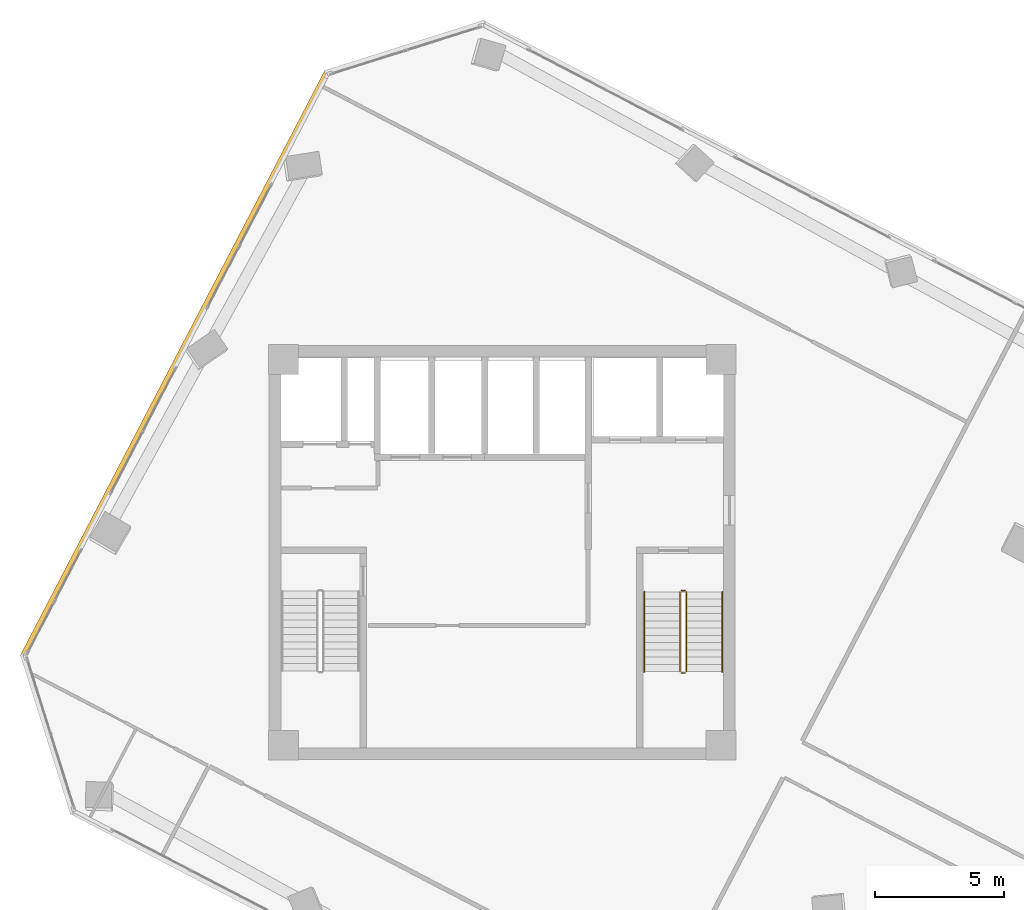
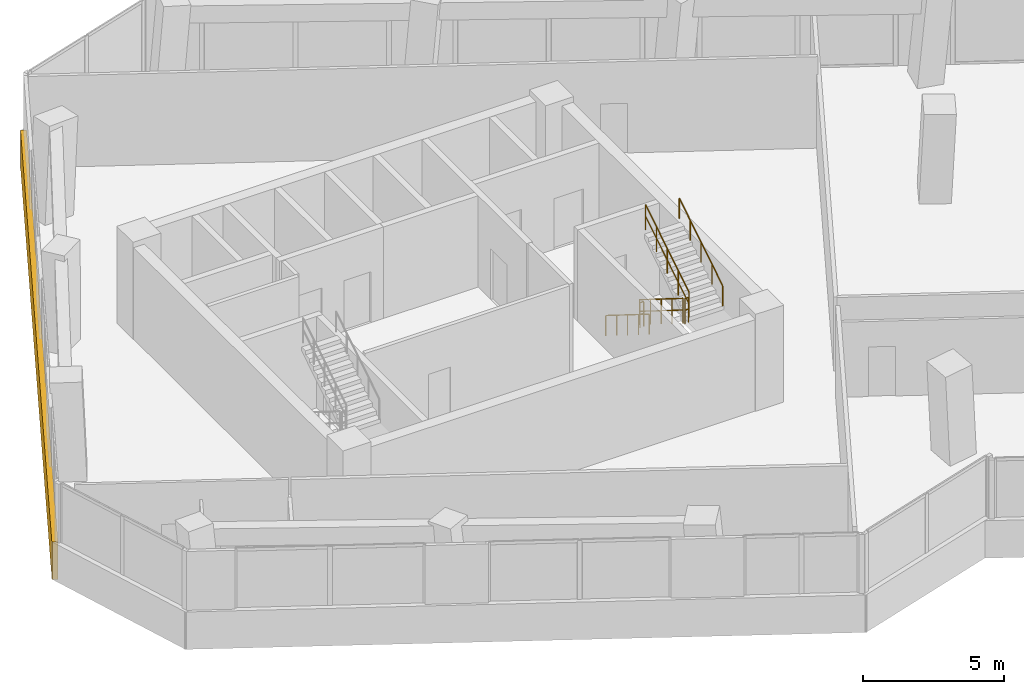
# One storey, part 20 of 22: 6 railings, 1 covering.
"""IFC4 building model written with IfcOpenShell, lengths in metres."""

import ifcopenshell
import ifcopenshell.guid

model = None  # the IFC model being written
_history = None  # IfcOwnerHistory: only IFC2X3 demands one
_inside = {}  # id of a spatial element -> (the spatial element, [elements in it])
_under = {}  # id of a project, library or spatial element -> (it, [spatial elements below it])
_declared = {}  # id of a project -> (the project, [libraries it declares])
_typed = {}  # id of a type object -> (the type object, [elements of that type])
_made_of = {}  # id of a material, layer set ... -> (it, [elements and type objects made of it])


def new_model(schema):
    """Start an empty IFC model of exactly this schema.

    Asked for "IFC4X3", IfcOpenShell would pick the latest addendum, in which some entities
    have other attributes; the version numbers below select the first issue.
    IFC2X3 requires an IfcOwnerHistory on every rooted entity: one is made here for all.
    """
    global model, _history
    if schema == "IFC4X3":
        model = ifcopenshell.file(schema_version=(4, 3, 0, 0))
    else:
        model = ifcopenshell.file(schema=schema)
    _inside.clear()
    _under.clear()
    _declared.clear()
    _typed.clear()
    _made_of.clear()
    _history = None
    if model.schema == "IFC2X3":
        org = make("IfcOrganization", Name="unknown")
        user = make(
            "IfcPersonAndOrganization",
            ThePerson=make("IfcPerson", FamilyName="unknown"),
            TheOrganization=org,
        )
        app = make(
            "IfcApplication",
            ApplicationDeveloper=org,
            Version="unknown",
            ApplicationFullName="unknown",
            ApplicationIdentifier="unknown",
        )
        _history = make(
            "IfcOwnerHistory",
            OwningUser=user,
            OwningApplication=app,
            ChangeAction="ADDED",
            CreationDate=0,
        )
    return model


def make(cls, **values):
    """One entity of the class cls with the attributes given. An attribute that is None is left unset."""
    return model.create_entity(
        cls, **{name: value for name, value in values.items() if value is not None}
    )


def rooted(cls, **values):
    """An entity with a GlobalId (a new one), such as an element, a storey or a relation."""
    return make(cls, GlobalId=ifcopenshell.guid.new(), OwnerHistory=_history, **values)


def si_unit(unit_type, name, prefix=None):
    """IfcSIUnit, for example si_unit("LENGTHUNIT", "METRE", prefix="MILLI")."""
    return make("IfcSIUnit", UnitType=unit_type, Prefix=prefix, Name=name)


def assignment(units):
    """IfcUnitAssignment: the units of a project."""
    return None if units is None else make("IfcUnitAssignment", Units=units)


def point(xyz):
    """IfcCartesianPoint."""
    return None if xyz is None else make("IfcCartesianPoint", Coordinates=xyz)


def direction(xyz):
    """IfcDirection."""
    return None if xyz is None else make("IfcDirection", DirectionRatios=xyz)


def frame(location, z_axis=None, x_axis=None):
    """IfcAxis2Placement3D, a coordinate frame: its origin and axes. An axis left out is left unset."""
    return make(
        "IfcAxis2Placement3D",
        Location=point(location),
        Axis=direction(z_axis),
        RefDirection=direction(x_axis),
    )


def frame_2d(location, x_axis=None):
    """IfcAxis2Placement2D, a coordinate frame in the plane: its origin and x axis."""
    return make(
        "IfcAxis2Placement2D", Location=point(location), RefDirection=direction(x_axis)
    )


def origin():
    """The frame at (0, 0, 0) with its axes left unset."""
    return frame((0.0, 0.0, 0.0))


def origin_2d():
    """The frame at (0, 0) in the plane with its x axis left unset."""
    return frame_2d((0.0, 0.0))


def place(relative_to, where):
    """IfcLocalPlacement: puts the frame where relative to a parent placement (None: the world)."""
    return make(
        "IfcLocalPlacement", PlacementRelTo=relative_to, RelativePlacement=where
    )


def context(
    kind, dimensions, precision=None, world=None, true_north=None, identifier=None
):
    """IfcGeometricRepresentationContext, for example the 3D "Model" context."""
    return make(
        "IfcGeometricRepresentationContext",
        ContextIdentifier=identifier,
        ContextType=kind,
        CoordinateSpaceDimension=dimensions,
        Precision=precision,
        WorldCoordinateSystem=world,
        TrueNorth=true_north,
    )


def subcontext(parent, identifier, kind, view, scale=None):
    """IfcGeometricRepresentationSubContext, for example "Body" below "Model"."""
    return make(
        "IfcGeometricRepresentationSubContext",
        ContextIdentifier=identifier,
        ContextType=kind,
        ParentContext=parent,
        TargetScale=scale,
        TargetView=view,
    )


def project(units=None, contexts=None):
    """IfcProject with its units and contexts."""
    return rooted(
        "IfcProject",
        Name="project",
        RepresentationContexts=contexts,
        UnitsInContext=assignment(units),
    )


def spatial(cls, under=None, at=None, **own):
    """A site, building, storey or space (cls), placed at a placement, below another one or the project."""
    s = rooted(cls, ObjectPlacement=at, **own)
    if under is not None:
        _under.setdefault(under.id(), (under, []))[1].append(s)
    return s


def profile(cls, at=None, kind="AREA", **sizes):
    """A parametric profile (cls). Its sizes go by their IFC names, for example OverallWidth=200.0."""
    return make(cls, ProfileType=kind, Position=at, **sizes)


def rectangle(**sizes):
    """IfcRectangleProfileDef."""
    return profile("IfcRectangleProfileDef", **sizes)


def circle(**sizes):
    """IfcCircleProfileDef."""
    return profile("IfcCircleProfileDef", **sizes)


def extrude(swept, where, along, depth):
    """IfcExtrudedAreaSolid: the profile swept, set in the frame where, extruded along a direction by depth."""
    return make(
        "IfcExtrudedAreaSolid",
        SweptArea=swept,
        Position=where,
        ExtrudedDirection=direction(along),
        Depth=depth,
    )


def shape(context_of_items, identifier, shape_type, items):
    """IfcShapeRepresentation: the items that make up one representation, for example the "Body"."""
    return make(
        "IfcShapeRepresentation",
        ContextOfItems=context_of_items,
        RepresentationIdentifier=identifier,
        RepresentationType=shape_type,
        Items=items,
    )


def source(mapping_origin, context_of_items, identifier, shape_type, items):
    """IfcRepresentationMap: a shape defined once, which mapped items show again and again."""
    return make(
        "IfcRepresentationMap",
        MappingOrigin=mapping_origin,
        MappedRepresentation=shape(context_of_items, identifier, shape_type, items),
    )


def transform(
    local_origin,
    x_axis=None,
    y_axis=None,
    z_axis=None,
    scale=None,
    scale2=None,
    scale3=None,
    uniform=True,
):
    """IfcCartesianTransformationOperator3D, or its non-uniform kind. x_axis, y_axis, z_axis: its Axis1, 2, 3."""
    if uniform:
        return make(
            "IfcCartesianTransformationOperator3D",
            Axis1=direction(x_axis),
            Axis2=direction(y_axis),
            LocalOrigin=point(local_origin),
            Scale=scale,
            Axis3=direction(z_axis),
        )
    return make(
        "IfcCartesianTransformationOperator3DnonUniform",
        Axis1=direction(x_axis),
        Axis2=direction(y_axis),
        LocalOrigin=point(local_origin),
        Scale=scale,
        Axis3=direction(z_axis),
        Scale2=scale2,
        Scale3=scale3,
    )


def mapped(mapping_source, mapping_target):
    """IfcMappedItem: shows the shape of a source again, moved by a transform."""
    return make(
        "IfcMappedItem", MappingSource=mapping_source, MappingTarget=mapping_target
    )


def material(Name=None, Category=None):
    """IfcMaterial."""
    return make("IfcMaterial", Name=Name, Category=Category)


def layer(
    of_material, thickness, ventilated=None, Name=None, Category=None, Priority=None
):
    """IfcMaterialLayer: one layer of a wall or slab, of a material (None: an air gap)."""
    return make(
        "IfcMaterialLayer",
        Material=of_material,
        LayerThickness=thickness,
        IsVentilated=ventilated,
        Name=Name,
        Category=Category,
        Priority=Priority,
    )


def layer_set(layers, Name=None):
    """IfcMaterialLayerSet."""
    return make("IfcMaterialLayerSet", MaterialLayers=layers, LayerSetName=Name)


def made_of(thing, what):
    """Note that an element or type object is made of a material, layer set ...; save() writes the relation."""
    if what is not None:
        _made_of.setdefault(what.id(), (what, []))[1].append(thing)
    return thing


def type_object(cls, material=None, **own):
    """A type object (cls), such as IfcWallType, which elements share."""
    return made_of(rooted(cls, **own), material)


def element(
    cls,
    number,
    at=None,
    inside=None,
    cuts=None,
    type_object=None,
    material=None,
    context=None,
    identifier="Body",
    shape_type=None,
    held_by="IfcProductDefinitionShape",
    body=None,
    shapes=None,
    **own,
):
    """One element of the class cls, such as IfcWall. Its Tag is "e" and its number.

    at: its placement. inside: the storey or other place that contains it. cuts: it is an
    opening in that element (IfcRelVoidsElement). A single representation is given by context,
    identifier, shape_type and body (its items); several are given by shapes. held_by: the class
    of the entity that holds the representations. save() writes the other relations.
    """
    e = rooted(cls, Tag="e%d" % number, ObjectPlacement=at, **own)
    if body is not None:
        shapes = [shape(context, identifier, shape_type, body)]
    if shapes is not None:
        e.Representation = make(held_by, Representations=shapes)
    if inside is not None:
        _inside.setdefault(inside.id(), (inside, []))[1].append(e)
    if cuts is not None:
        rooted(
            "IfcRelVoidsElement", RelatingBuildingElement=cuts, RelatedOpeningElement=e
        )
    if type_object is not None:
        _typed.setdefault(type_object.id(), (type_object, []))[1].append(e)
    return made_of(e, material)


def aggregate(whole, parts):
    """IfcRelAggregates: a whole, such as a stair, and the parts it consists of."""
    return rooted("IfcRelAggregates", RelatingObject=whole, RelatedObjects=parts)


def save(model, path):
    """Write the relations noted so far, then the file.

    IfcRelAggregates (storeys below a building ...), IfcRelContainedInSpatialStructure (elements
    in a storey), IfcRelDefinesByType, IfcRelAssociatesMaterial and IfcRelDeclares: one each for
    every whole, place, type object, material and project.
    """
    for whole, parts in _under.values():
        aggregate(whole, parts)
    for where, things in _inside.values():
        rooted(
            "IfcRelContainedInSpatialStructure",
            RelatedElements=things,
            RelatingStructure=where,
        )
    for kind, things in _typed.values():
        rooted("IfcRelDefinesByType", RelatedObjects=things, RelatingType=kind)
    for what, things in _made_of.values():
        rooted("IfcRelAssociatesMaterial", RelatedObjects=things, RelatingMaterial=what)
    for by, libraries in _declared.values():
        rooted("IfcRelDeclares", RelatingContext=by, RelatedDefinitions=libraries)
    model.write(path)


model = new_model("IFC4")

# Units and contexts
model_context = context("Model", 3, precision=1e-05, world=origin(), true_north=direction((0.0, 1.0)))
body_context = subcontext(model_context, "Body", "Model", "MODEL_VIEW")
ifc_project = project(units=[si_unit("LENGTHUNIT", "METRE"), si_unit("AREAUNIT", "SQUARE_METRE"), si_unit("VOLUMEUNIT", "CUBIC_METRE"), si_unit("PLANEANGLEUNIT", "RADIAN"), si_unit("MASSUNIT", "GRAM", prefix="KILO")], contexts=[model_context])

# Site, building, storey
site_placement = place(None, origin())
site = spatial("IfcSite", under=ifc_project, at=site_placement, CompositionType="ELEMENT")
building_placement = place(site_placement, origin())
building = spatial("IfcBuilding", under=site, at=building_placement, Name="Torre Montelarca", CompositionType="ELEMENT")
storey_placement = place(building_placement, frame((0.0, 0.0, 170.800048828125)))
storey = spatial("IfcBuildingStorey", under=building, at=storey_placement, Name="L38", CompositionType="ELEMENT", Elevation=170.800048828125)

# Railings
ifc_material_1 = material(Name="Powder-coated steel ASTM A500 Grade C", Category="steel")
railing_type_1 = type_object("IfcRailingType", Name="RL-GUARD-1100", PredefinedType="BALUSTRADE", material=ifc_material_1)
railing_1_placement = place(storey_placement, frame((24.8701171875, 30.469970703125, 0.175048828125)))
element("IfcRailing", 1, at=railing_1_placement, inside=storey, type_object=railing_type_1, Name="L38 ST2 stair guard 1", PredefinedType="BALUSTRADE", context=body_context, shape_type="SweptSolid", body=[
    extrude(circle(Radius=0.02392578125, at=origin_2d()), frame((0.0, 0.0, 1.076171875), z_axis=(0.0, -0.848028513186, 0.529950602248), x_axis=(1.0, 0.0, 0.0)), (0.0, 0.0, 1.0), 3.632080078125),
    extrude(circle(Radius=0.02099609375, at=origin_2d()), frame((0.0, 0.0, 0.572021484375), z_axis=(0.0, -0.848028513186, 0.529950602248), x_axis=(1.0, 0.0, 0.0)), (0.0, 0.0, 1.0), 3.632080078125),
    extrude(circle(Radius=0.02099609375, at=origin_2d()), origin(), (0.0, 0.0, 1.0), 1.052001953125),
    extrude(circle(Radius=0.02099609375, at=origin_2d()), frame((0.0, -0.77001953125, 0.481201171875)), (0.0, 0.0, 1.0), 1.052001953125),
    extrude(circle(Radius=0.02099609375, at=origin_2d()), frame((0.0, -1.5400390625, 0.96240234375)), (0.0, 0.0, 1.0), 1.052001953125),
    extrude(circle(Radius=0.02099609375, at=origin_2d()), frame((0.0, -2.31005859375, 1.443603515625)), (0.0, 0.0, 1.0), 1.052001953125),
    extrude(circle(Radius=0.02099609375, at=origin_2d()), frame((0.0, -3.080078125, 1.9248046875)), (0.0, 0.0, 1.0), 1.052001953125),
])
railing_2_placement = place(storey_placement, frame((24.919921875, 27.340087890625, 2.099853515625)))
element("IfcRailing", 2, at=railing_2_placement, inside=storey, type_object=railing_type_1, Name="L38 ST2 stair guard 2", PredefinedType="BALUSTRADE", context=body_context, shape_type="SweptSolid", body=[
    extrude(circle(Radius=0.02392578125, at=origin_2d()), frame((0.0, 0.0, 1.076171875), z_axis=(1.0, 0.0, 0.0), x_axis=(0.0, 1.0, 0.0)), (0.0, 0.0, 1.0), 0.150146484375),
    extrude(circle(Radius=0.02099609375, at=origin_2d()), frame((0.0, 0.0, 0.572021484375), z_axis=(1.0, 0.0, 0.0), x_axis=(0.0, 1.0, 0.0)), (0.0, 0.0, 1.0), 0.150146484375),
    extrude(circle(Radius=0.02099609375, at=origin_2d()), origin(), (0.0, 0.0, 1.0), 1.052001953125),
    extrude(circle(Radius=0.02099609375, at=origin_2d()), frame((0.150146484375, 0.0, 0.0)), (0.0, 0.0, 1.0), 1.052001953125),
])
railing_3_placement = place(storey_placement, frame((25.1201171875, 27.389892578125, 2.27490234375)))
element("IfcRailing", 3, at=railing_3_placement, inside=storey, type_object=railing_type_1, Name="L38 ST2 stair guard 3", PredefinedType="BALUSTRADE", context=body_context, shape_type="SweptSolid", body=[
    extrude(circle(Radius=0.02392578125, at=origin_2d()), frame((0.0, 0.0, 1.076171875), z_axis=(0.0, 0.847998304005, 0.529998940003), x_axis=(-1.0, 0.0, 0.0)), (0.0, 0.0, 1.0), 3.632080078125),
    extrude(circle(Radius=0.02099609375, at=origin_2d()), frame((0.0, 0.0, 0.572021484375), z_axis=(0.0, 0.847998304005, 0.529998940003), x_axis=(-1.0, 0.0, 0.0)), (0.0, 0.0, 1.0), 3.632080078125),
    extrude(circle(Radius=0.02099609375, at=origin_2d()), origin(), (0.0, 0.0, 1.0), 1.052001953125),
    extrude(circle(Radius=0.02099609375, at=origin_2d()), frame((0.0, 0.77001953125, 0.481201171875)), (0.0, 0.0, 1.0), 1.052001953125),
    extrude(circle(Radius=0.02099609375, at=origin_2d()), frame((0.0, 1.5400390625, 0.96240234375)), (0.0, 0.0, 1.0), 1.052001953125),
    extrude(circle(Radius=0.02099609375, at=origin_2d()), frame((0.0, 2.31005859375, 1.44384765625)), (0.0, 0.0, 1.0), 1.052001953125),
    extrude(circle(Radius=0.02099609375, at=origin_2d()), frame((0.0, 3.080078125, 1.925048828125)), (0.0, 0.0, 1.0), 1.052001953125),
])
railing_4_placement = place(storey_placement, frame((24.919921875, 30.52001953125, 0.0)))
element("IfcRailing", 4, at=railing_4_placement, inside=storey, type_object=railing_type_1, Name="L38 ST2 stair guard 4", PredefinedType="BALUSTRADE", context=body_context, shape_type="SweptSolid", body=[
    extrude(circle(Radius=0.02392578125, at=origin_2d()), frame((0.0, 0.0, 1.076171875), z_axis=(1.0, 0.0, 0.0), x_axis=(0.0, 1.0, 0.0)), (0.0, 0.0, 1.0), 0.150146484375),
    extrude(circle(Radius=0.02099609375, at=origin_2d()), frame((0.0, 0.0, 0.572021484375), z_axis=(1.0, 0.0, 0.0), x_axis=(0.0, 1.0, 0.0)), (0.0, 0.0, 1.0), 0.150146484375),
    extrude(circle(Radius=0.02099609375, at=origin_2d()), origin(), (0.0, 0.0, 1.0), 1.052001953125),
    extrude(circle(Radius=0.02099609375, at=origin_2d()), frame((0.150146484375, 0.0, 0.0)), (0.0, 0.0, 1.0), 1.052001953125),
])
ifc_material_2 = material(Name="Brushed stainless steel AISI 316", Category="steel")
railing_type_2 = type_object("IfcRailingType", Name="RL-HANDRAIL-900", PredefinedType="HANDRAIL", material=ifc_material_2)
railing_5_placement = place(storey_placement, frame((23.489990234375, 30.469970703125, 0.175048828125)))
element("IfcRailing", 5, at=railing_5_placement, inside=storey, type_object=railing_type_2, Name="L38 ST2 stair handrail 1", PredefinedType="HANDRAIL", context=body_context, shape_type="SweptSolid", body=[
    extrude(circle(Radius=0.02392578125, at=origin_2d()), frame((0.0, 0.0, 0.8759765625), z_axis=(0.0, -0.848028513186, 0.529950602248), x_axis=(1.0, 0.0, 0.0)), (0.0, 0.0, 1.0), 3.632080078125),
    extrude(circle(Radius=0.02099609375, at=origin_2d()), origin(), (0.0, 0.0, 1.0), 0.851806640625),
    extrude(circle(Radius=0.02099609375, at=origin_2d()), frame((0.0, -0.77001953125, 0.481201171875)), (0.0, 0.0, 1.0), 0.851806640625),
    extrude(circle(Radius=0.02099609375, at=origin_2d()), frame((0.0, -1.5400390625, 0.96240234375)), (0.0, 0.0, 1.0), 0.851806640625),
    extrude(circle(Radius=0.02099609375, at=origin_2d()), frame((0.0, -2.31005859375, 1.443603515625)), (0.0, 0.0, 1.0), 0.851806640625),
    extrude(circle(Radius=0.02099609375, at=origin_2d()), frame((0.0, -3.080078125, 1.9248046875)), (0.0, 0.0, 1.0), 0.851806640625),
])
railing_6_placement = place(storey_placement, frame((26.5, 27.389892578125, 2.27490234375)))
element("IfcRailing", 6, at=railing_6_placement, inside=storey, type_object=railing_type_2, Name="L38 ST2 stair handrail 2", PredefinedType="HANDRAIL", context=body_context, shape_type="SweptSolid", body=[
    extrude(circle(Radius=0.02392578125, at=origin_2d()), frame((0.0, 0.0, 0.8759765625), z_axis=(0.0, 0.847998304005, 0.529998940003), x_axis=(-1.0, 0.0, 0.0)), (0.0, 0.0, 1.0), 3.632080078125),
    extrude(circle(Radius=0.02099609375, at=origin_2d()), origin(), (0.0, 0.0, 1.0), 0.851806640625),
    extrude(circle(Radius=0.02099609375, at=origin_2d()), frame((0.0, 0.77001953125, 0.481201171875)), (0.0, 0.0, 1.0), 0.851806640625),
    extrude(circle(Radius=0.02099609375, at=origin_2d()), frame((0.0, 1.5400390625, 0.96240234375)), (0.0, 0.0, 1.0), 0.851806640625),
    extrude(circle(Radius=0.02099609375, at=origin_2d()), frame((0.0, 2.31005859375, 1.44384765625)), (0.0, 0.0, 1.0), 0.851806640625),
    extrude(circle(Radius=0.02099609375, at=origin_2d()), frame((0.0, 3.080078125, 1.925048828125)), (0.0, 0.0, 1.0), 0.851806640625),
])

# Covering
ifc_material_3 = material(Name="Bush-hammered warm white precast concrete C45/55", Category="concrete")
ifc_layer = layer(ifc_material_3, 0.139892578125, Name="Bush-hammered warm white precast concrete C45/55", Category="concrete")
ifc_layer_set = layer_set([ifc_layer], Name="Bush-hammered warm white precast concrete C45/55")
covering_type = type_object("IfcCoveringType", Name="COV-TRAY-CLAD", PredefinedType="CLADDING", material=ifc_layer_set)
shared_shape = source(origin(), body_context, "Body", "SweptSolid", [
    extrude(rectangle(XDim=25.52001953125, YDim=0.219970703125, at=origin_2d()), origin(), (0.0, 0.0, 1.0), 1.6201171875),
])
covering_placement = place(storey_placement, frame((5.36474609375, 39.272216796875, -0.4501953125), z_axis=(0.0, 0.0, 1.0), x_axis=(-0.461747065108, -0.88701163908, 0.0)))
element("IfcCovering", 7, at=covering_placement, inside=storey, type_object=covering_type, Name="L38 Architectural White Spandrel Tray Band TRYBOT-10", PredefinedType="CLADDING", context=body_context, shape_type="MappedRepresentation", body=[
    mapped(shared_shape, transform((0.0, 0.0, 0.0), scale=1.0)),
])

save(model, "model.ifc")
